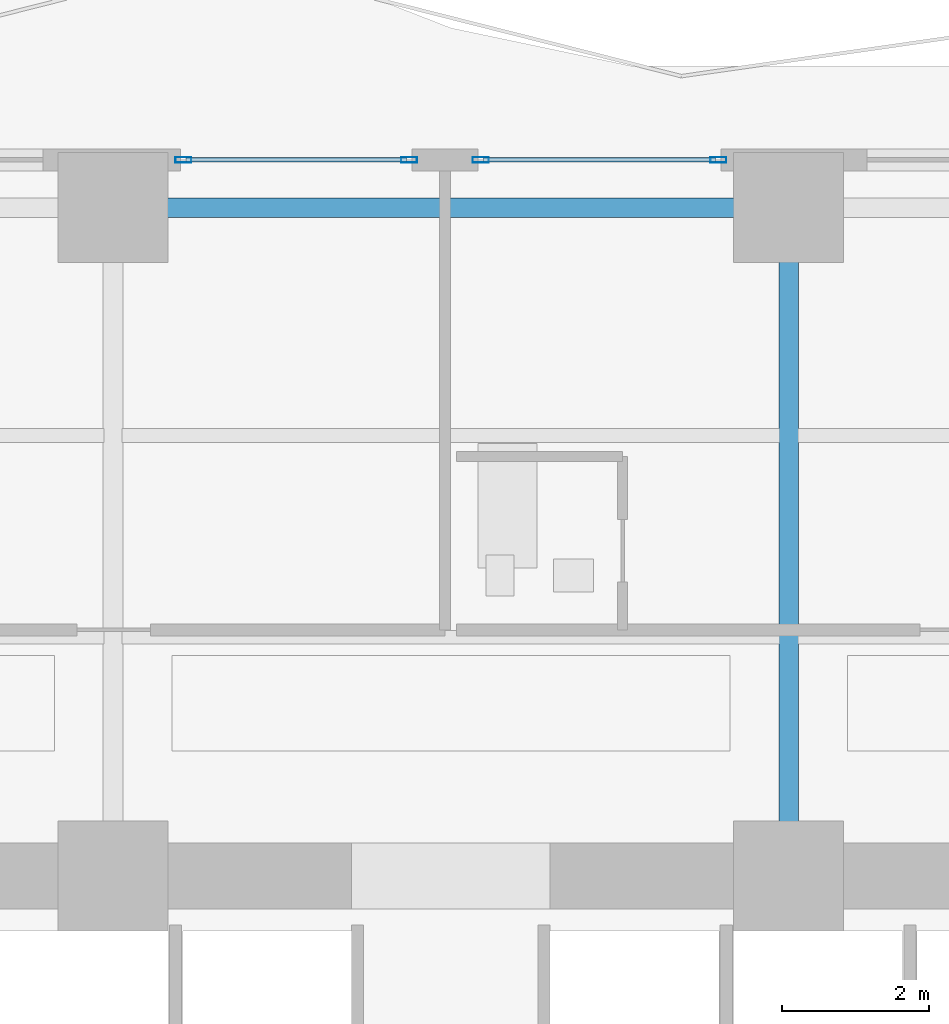
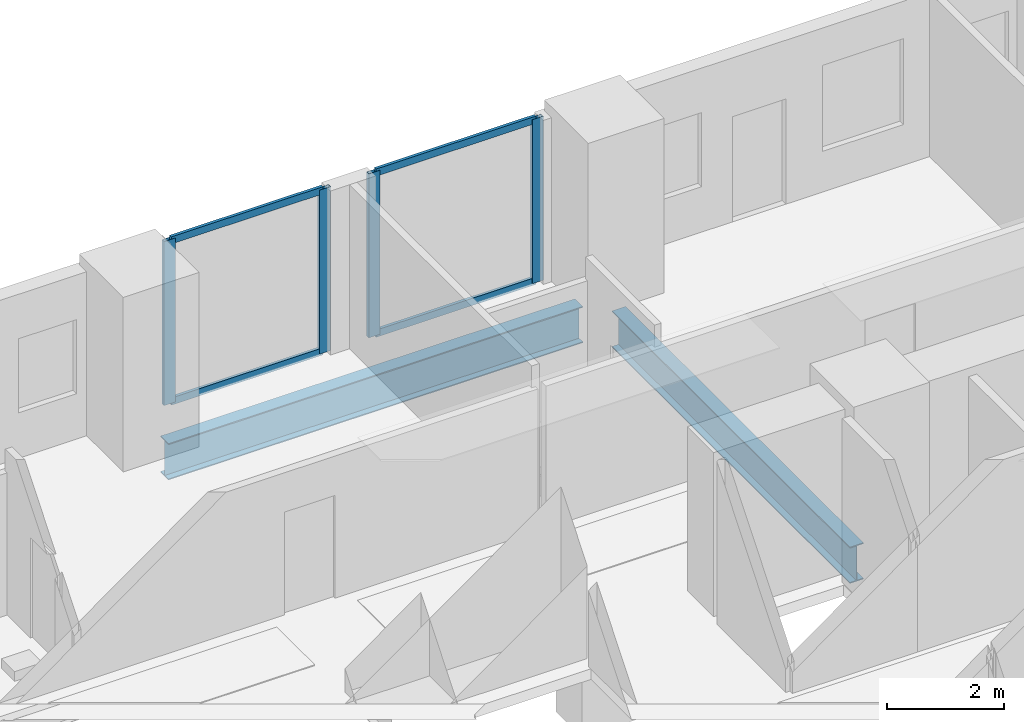
# One storey, part 15 of 28: 8 members, 2 beams, 2 elements without a shape of their own.
"""IFC4 building model written with IfcOpenShell, lengths in metres."""

import ifcopenshell
import ifcopenshell.guid

model = None  # the IFC model being written
_history = None  # IfcOwnerHistory: only IFC2X3 demands one
_inside = {}  # id of a spatial element -> (the spatial element, [elements in it])
_under = {}  # id of a project, library or spatial element -> (it, [spatial elements below it])
_declared = {}  # id of a project -> (the project, [libraries it declares])
_typed = {}  # id of a type object -> (the type object, [elements of that type])
_made_of = {}  # id of a material, layer set ... -> (it, [elements and type objects made of it])


def new_model(schema):
    """Start an empty IFC model of exactly this schema.

    Asked for "IFC4X3", IfcOpenShell would pick the latest addendum, in which some entities
    have other attributes; the version numbers below select the first issue.
    IFC2X3 requires an IfcOwnerHistory on every rooted entity: one is made here for all.
    """
    global model, _history
    if schema == "IFC4X3":
        model = ifcopenshell.file(schema_version=(4, 3, 0, 0))
    else:
        model = ifcopenshell.file(schema=schema)
    _inside.clear()
    _under.clear()
    _declared.clear()
    _typed.clear()
    _made_of.clear()
    _history = None
    if model.schema == "IFC2X3":
        org = make("IfcOrganization", Name="unknown")
        user = make(
            "IfcPersonAndOrganization",
            ThePerson=make("IfcPerson", FamilyName="unknown"),
            TheOrganization=org,
        )
        app = make(
            "IfcApplication",
            ApplicationDeveloper=org,
            Version="unknown",
            ApplicationFullName="unknown",
            ApplicationIdentifier="unknown",
        )
        _history = make(
            "IfcOwnerHistory",
            OwningUser=user,
            OwningApplication=app,
            ChangeAction="ADDED",
            CreationDate=0,
        )
    return model


def make(cls, **values):
    """One entity of the class cls with the attributes given. An attribute that is None is left unset."""
    return model.create_entity(
        cls, **{name: value for name, value in values.items() if value is not None}
    )


def rooted(cls, **values):
    """An entity with a GlobalId (a new one), such as an element, a storey or a relation."""
    return make(cls, GlobalId=ifcopenshell.guid.new(), OwnerHistory=_history, **values)


def si_unit(unit_type, name, prefix=None):
    """IfcSIUnit, for example si_unit("LENGTHUNIT", "METRE", prefix="MILLI")."""
    return make("IfcSIUnit", UnitType=unit_type, Prefix=prefix, Name=name)


def assignment(units):
    """IfcUnitAssignment: the units of a project."""
    return None if units is None else make("IfcUnitAssignment", Units=units)


def point(xyz):
    """IfcCartesianPoint."""
    return None if xyz is None else make("IfcCartesianPoint", Coordinates=xyz)


def direction(xyz):
    """IfcDirection."""
    return None if xyz is None else make("IfcDirection", DirectionRatios=xyz)


def frame(location, z_axis=None, x_axis=None):
    """IfcAxis2Placement3D, a coordinate frame: its origin and axes. An axis left out is left unset."""
    return make(
        "IfcAxis2Placement3D",
        Location=point(location),
        Axis=direction(z_axis),
        RefDirection=direction(x_axis),
    )


def frame_2d(location, x_axis=None):
    """IfcAxis2Placement2D, a coordinate frame in the plane: its origin and x axis."""
    return make(
        "IfcAxis2Placement2D", Location=point(location), RefDirection=direction(x_axis)
    )


def origin():
    """The frame at (0, 0, 0) with its axes left unset."""
    return frame((0.0, 0.0, 0.0))


def origin_2d():
    """The frame at (0, 0) in the plane with its x axis left unset."""
    return frame_2d((0.0, 0.0))


def place(relative_to, where):
    """IfcLocalPlacement: puts the frame where relative to a parent placement (None: the world)."""
    return make(
        "IfcLocalPlacement", PlacementRelTo=relative_to, RelativePlacement=where
    )


def context(
    kind, dimensions, precision=None, world=None, true_north=None, identifier=None
):
    """IfcGeometricRepresentationContext, for example the 3D "Model" context."""
    return make(
        "IfcGeometricRepresentationContext",
        ContextIdentifier=identifier,
        ContextType=kind,
        CoordinateSpaceDimension=dimensions,
        Precision=precision,
        WorldCoordinateSystem=world,
        TrueNorth=true_north,
    )


def subcontext(parent, identifier, kind, view, scale=None):
    """IfcGeometricRepresentationSubContext, for example "Body" below "Model"."""
    return make(
        "IfcGeometricRepresentationSubContext",
        ContextIdentifier=identifier,
        ContextType=kind,
        ParentContext=parent,
        TargetScale=scale,
        TargetView=view,
    )


def project(units=None, contexts=None):
    """IfcProject with its units and contexts."""
    return rooted(
        "IfcProject",
        Name="project",
        RepresentationContexts=contexts,
        UnitsInContext=assignment(units),
    )


def spatial(cls, under=None, at=None, **own):
    """A site, building, storey or space (cls), placed at a placement, below another one or the project."""
    s = rooted(cls, ObjectPlacement=at, **own)
    if under is not None:
        _under.setdefault(under.id(), (under, []))[1].append(s)
    return s


def profile(cls, at=None, kind="AREA", **sizes):
    """A parametric profile (cls). Its sizes go by their IFC names, for example OverallWidth=200.0."""
    return make(cls, ProfileType=kind, Position=at, **sizes)


def hollow_rectangle(**sizes):
    """IfcRectangleHollowProfileDef."""
    return profile("IfcRectangleHollowProfileDef", **sizes)


def i_section(**sizes):
    """IfcIShapeProfileDef."""
    return profile("IfcIShapeProfileDef", **sizes)


def extrude(swept, where, along, depth):
    """IfcExtrudedAreaSolid: the profile swept, set in the frame where, extruded along a direction by depth."""
    return make(
        "IfcExtrudedAreaSolid",
        SweptArea=swept,
        Position=where,
        ExtrudedDirection=direction(along),
        Depth=depth,
    )


def shape(context_of_items, identifier, shape_type, items):
    """IfcShapeRepresentation: the items that make up one representation, for example the "Body"."""
    return make(
        "IfcShapeRepresentation",
        ContextOfItems=context_of_items,
        RepresentationIdentifier=identifier,
        RepresentationType=shape_type,
        Items=items,
    )


def material(Name=None, Category=None):
    """IfcMaterial."""
    return make("IfcMaterial", Name=Name, Category=Category)


def layer(
    of_material, thickness, ventilated=None, Name=None, Category=None, Priority=None
):
    """IfcMaterialLayer: one layer of a wall or slab, of a material (None: an air gap)."""
    return make(
        "IfcMaterialLayer",
        Material=of_material,
        LayerThickness=thickness,
        IsVentilated=ventilated,
        Name=Name,
        Category=Category,
        Priority=Priority,
    )


def layer_set(layers, Name=None):
    """IfcMaterialLayerSet."""
    return make("IfcMaterialLayerSet", MaterialLayers=layers, LayerSetName=Name)


def material_profile(
    of_material, cross_section, Name=None, Category=None, Priority=None
):
    """IfcMaterialProfile: a cross section and its material."""
    return make(
        "IfcMaterialProfile",
        Name=Name,
        Material=of_material,
        Profile=cross_section,
        Priority=Priority,
        Category=Category,
    )


def profile_set(profiles, Name=None, composite=None):
    """IfcMaterialProfileSet."""
    return make(
        "IfcMaterialProfileSet",
        Name=Name,
        MaterialProfiles=profiles,
        CompositeProfile=composite,
    )


def made_of(thing, what):
    """Note that an element or type object is made of a material, layer set ...; save() writes the relation."""
    if what is not None:
        _made_of.setdefault(what.id(), (what, []))[1].append(thing)
    return thing


def type_object(cls, material=None, **own):
    """A type object (cls), such as IfcWallType, which elements share."""
    return made_of(rooted(cls, **own), material)


def element(
    cls,
    number,
    at=None,
    inside=None,
    cuts=None,
    type_object=None,
    material=None,
    context=None,
    identifier="Body",
    shape_type=None,
    held_by="IfcProductDefinitionShape",
    body=None,
    shapes=None,
    **own,
):
    """One element of the class cls, such as IfcWall. Its Tag is "e" and its number.

    at: its placement. inside: the storey or other place that contains it. cuts: it is an
    opening in that element (IfcRelVoidsElement). A single representation is given by context,
    identifier, shape_type and body (its items); several are given by shapes. held_by: the class
    of the entity that holds the representations. save() writes the other relations.
    """
    e = rooted(cls, Tag="e%d" % number, ObjectPlacement=at, **own)
    if body is not None:
        shapes = [shape(context, identifier, shape_type, body)]
    if shapes is not None:
        e.Representation = make(held_by, Representations=shapes)
    if inside is not None:
        _inside.setdefault(inside.id(), (inside, []))[1].append(e)
    if cuts is not None:
        rooted(
            "IfcRelVoidsElement", RelatingBuildingElement=cuts, RelatedOpeningElement=e
        )
    if type_object is not None:
        _typed.setdefault(type_object.id(), (type_object, []))[1].append(e)
    return made_of(e, material)


def aggregate(whole, parts):
    """IfcRelAggregates: a whole, such as a stair, and the parts it consists of."""
    return rooted("IfcRelAggregates", RelatingObject=whole, RelatedObjects=parts)


def save(model, path):
    """Write the relations noted so far, then the file.

    IfcRelAggregates (storeys below a building ...), IfcRelContainedInSpatialStructure (elements
    in a storey), IfcRelDefinesByType, IfcRelAssociatesMaterial and IfcRelDeclares: one each for
    every whole, place, type object, material and project.
    """
    for whole, parts in _under.values():
        aggregate(whole, parts)
    for where, things in _inside.values():
        rooted(
            "IfcRelContainedInSpatialStructure",
            RelatedElements=things,
            RelatingStructure=where,
        )
    for kind, things in _typed.values():
        rooted("IfcRelDefinesByType", RelatedObjects=things, RelatingType=kind)
    for what, things in _made_of.values():
        rooted("IfcRelAssociatesMaterial", RelatedObjects=things, RelatingMaterial=what)
    for by, libraries in _declared.values():
        rooted("IfcRelDeclares", RelatingContext=by, RelatedDefinitions=libraries)
    model.write(path)


model = new_model("IFC4")

# Units and contexts
model_context = context("Model", 3, precision=1e-05, world=origin(), true_north=direction((0.0, 1.0)))
body_context = subcontext(model_context, "Body", "Model", "MODEL_VIEW")
ifc_project = project(units=[si_unit("LENGTHUNIT", "METRE"), si_unit("AREAUNIT", "SQUARE_METRE"), si_unit("VOLUMEUNIT", "CUBIC_METRE"), si_unit("PLANEANGLEUNIT", "RADIAN"), si_unit("MASSUNIT", "GRAM", prefix="KILO")], contexts=[model_context])

# Site, building, storey
site_placement = place(None, origin())
site = spatial("IfcSite", under=ifc_project, at=site_placement, CompositionType="ELEMENT")
building_placement = place(site_placement, origin())
building = spatial("IfcBuilding", under=site, at=building_placement, Name="Zuhayl Quay Hotel", CompositionType="ELEMENT")
storey_placement = place(building_placement, frame((0.0, 0.0, 75.050048828125)))
storey = spatial("IfcBuildingStorey", under=building, at=storey_placement, Name="L18", CompositionType="ELEMENT", Elevation=75.050048828125)

# Beams
ifc_material_1 = material(Name="Steel ASTM A992 Grade 50", Category="steel")
ifc_material_profile_1 = material_profile(ifc_material_1, i_section(OverallWidth=0.26708984375, OverallDepth=0.761962890625, WebThickness=0.014404296875, FlangeThickness=0.021484375, at=origin_2d()), Name="W30X116")
ifc_profile_set_1 = profile_set([ifc_material_profile_1], Name="Steel ASTM A992 Grade 50")
beam_type = type_object("IfcBeamType", Name="BM_B1_W30X116", PredefinedType="BEAM", material=ifc_profile_set_1)
beam_1_placement = place(storey_placement, frame((4.10009765625, 22.449951171875, -0.60107421875), z_axis=(-1.0, 0.0, 0.0), x_axis=(0.0, -1.0, 0.0)))
element("IfcBeam", 1, at=beam_1_placement, inside=storey, type_object=beam_type, Name="L18 Floor Beam RG_L18_08", PredefinedType="BEAM", context=body_context, shape_type="SweptSolid", body=[
    extrude(i_section(OverallWidth=0.26708984375, OverallDepth=0.761962890625, WebThickness=0.014404296875, FlangeThickness=0.021484375, at=origin_2d()), origin(), (0.0, 0.0, 1.0), 8.2001953125),
])
beam_2_placement = place(storey_placement, frame((4.60009765625, 13.800048828125, -0.60107421875), z_axis=(0.0, 1.0, 0.0), x_axis=(-1.0, 0.0, 0.0)))
element("IfcBeam", 2, at=beam_2_placement, inside=storey, type_object=beam_type, Name="L18 Floor Beam FG_N_L18_3", PredefinedType="BEAM", context=body_context, shape_type="SweptSolid", body=[
    extrude(i_section(OverallWidth=0.26708984375, OverallDepth=0.761962890625, WebThickness=0.014404296875, FlangeThickness=0.021484375, at=origin_2d()), origin(), (0.0, 0.0, 1.0), 8.14990234375),
])

# Curtain wall, members
ifc_material_2 = material(Name="Anodised Aluminium 6063-T6", Category="aluminium")
ifc_layer = layer(ifc_material_2, 0.18994140625, Name="Anodised Aluminium 6063-T6", Category="aluminium")
ifc_layer_set = layer_set([ifc_layer], Name="Anodised Aluminium 6063-T6")
curtain_wall_type = type_object("IfcCurtainWallType", Name="CW_SYS_Z1", PredefinedType="USERDEFINED", material=ifc_layer_set)
curtain_wall_1_placement = place(storey_placement, origin())
curtain_wall_1 = element("IfcCurtainWall", 3, at=curtain_wall_1_placement, inside=storey, type_object=curtain_wall_type, Name="L18 Curtain Wall ENV_L18_N_CW2", ObjectType="UNITISED CURTAIN WALL", PredefinedType="USERDEFINED")
ifc_material_3 = material(Name="Black-anodised aluminium 6063-T6", Category="aluminium")
ifc_material_profile_2 = material_profile(ifc_material_3, hollow_rectangle(XDim=0.074951171875, YDim=0.219970703125, WallThickness=0.00390625, at=origin_2d()), Name="ALU220X75")
ifc_profile_set_2 = profile_set([ifc_material_profile_2], Name="Black-anodised aluminium 6063-T6")
member_type_1 = type_object("IfcMemberType", Name="MB_CW_MUL_220", PredefinedType="MULLION", material=ifc_profile_set_2)
member_1_placement = place(storey_placement, frame((-3.642578125, 23.10009765625, 0.0), z_axis=(0.0, 0.0, 1.0), x_axis=(0.0, 1.0, 0.0)))
member_1 = element("IfcMember", 4, at=member_1_placement, type_object=member_type_1, Name="CW-Z1 mullion 1", PredefinedType="MULLION", context=body_context, shape_type="SweptSolid", body=[
    extrude(hollow_rectangle(XDim=0.074951171875, YDim=0.219970703125, WallThickness=0.00390625, at=origin_2d()), origin(), (0.0, 0.0, 1.0), 3.429931640625),
])
member_2_placement = place(storey_placement, frame((-0.5673828125, 23.10009765625, 0.0), z_axis=(0.0, 0.0, 1.0), x_axis=(0.0, 1.0, 0.0)))
member_2 = element("IfcMember", 5, at=member_2_placement, type_object=member_type_1, Name="CW-Z1 mullion 2", PredefinedType="MULLION", context=body_context, shape_type="SweptSolid", body=[
    extrude(hollow_rectangle(XDim=0.074951171875, YDim=0.219970703125, WallThickness=0.00390625, at=origin_2d()), origin(), (0.0, 0.0, 1.0), 3.429931640625),
])

curtain_wall_2_placement = place(storey_placement, origin())
curtain_wall_2 = element("IfcCurtainWall", 6, at=curtain_wall_2_placement, inside=storey, type_object=curtain_wall_type, Name="L18 Curtain Wall ENV_L18_N_CW3", ObjectType="UNITISED CURTAIN WALL", PredefinedType="USERDEFINED")
member_3_placement = place(storey_placement, frame((0.407470703125, 23.10009765625, 0.0), z_axis=(0.0, 0.0, 1.0), x_axis=(0.0, 1.0, 0.0)))
member_3 = element("IfcMember", 7, at=member_3_placement, type_object=member_type_1, Name="CW-Z1 mullion 1", PredefinedType="MULLION", context=body_context, shape_type="SweptSolid", body=[
    extrude(hollow_rectangle(XDim=0.074951171875, YDim=0.219970703125, WallThickness=0.00390625, at=origin_2d()), origin(), (0.0, 0.0, 1.0), 3.429931640625),
])
member_4_placement = place(storey_placement, frame((3.642578125, 23.10009765625, 0.0), z_axis=(0.0, 0.0, 1.0), x_axis=(0.0, 1.0, 0.0)))
member_4 = element("IfcMember", 8, at=member_4_placement, type_object=member_type_1, Name="CW-Z1 mullion 2", PredefinedType="MULLION", context=body_context, shape_type="SweptSolid", body=[
    extrude(hollow_rectangle(XDim=0.074951171875, YDim=0.219970703125, WallThickness=0.00390625, at=origin_2d()), origin(), (0.0, 0.0, 1.0), 3.429931640625),
])

# Member
ifc_material_profile_3 = material_profile(ifc_material_3, hollow_rectangle(XDim=0.06005859375, YDim=0.14990234375, WallThickness=0.00341796875, at=origin_2d()), Name="ALU150X60")
ifc_profile_set_3 = profile_set([ifc_material_profile_3], Name="Black-anodised aluminium 6063-T6")
member_type_2 = type_object("IfcMemberType", Name="MB_CW_TRN_150", PredefinedType="USERDEFINED", material=ifc_profile_set_3)
member_5_placement = place(storey_placement, frame((-3.60498046875, 23.10009765625, 0.030029296875), z_axis=(1.0, 0.0, 0.0), x_axis=(0.0, 1.0, 0.0)))
member_5 = element("IfcMember", 9, at=member_5_placement, type_object=member_type_2, Name="CW-Z1 transom 1.1", ObjectType="TRANSOM", PredefinedType="USERDEFINED", context=body_context, shape_type="SweptSolid", body=[
    extrude(hollow_rectangle(XDim=0.06005859375, YDim=0.14990234375, WallThickness=0.00341796875, at=origin_2d()), origin(), (0.0, 0.0, 1.0), 3.0),
])

member_6_placement = place(storey_placement, frame((-3.60498046875, 23.10009765625, 3.39990234375), z_axis=(1.0, 0.0, 0.0), x_axis=(0.0, 1.0, 0.0)))
member_6 = element("IfcMember", 10, at=member_6_placement, type_object=member_type_2, Name="CW-Z1 transom 1.2", ObjectType="TRANSOM", PredefinedType="USERDEFINED", context=body_context, shape_type="SweptSolid", body=[
    extrude(hollow_rectangle(XDim=0.06005859375, YDim=0.14990234375, WallThickness=0.00341796875, at=origin_2d()), origin(), (0.0, 0.0, 1.0), 3.0),
])

aggregate(curtain_wall_1, [member_1, member_2, member_5, member_6])

member_7_placement = place(storey_placement, frame((0.445068359375, 23.10009765625, 0.030029296875), z_axis=(1.0, 0.0, 0.0), x_axis=(0.0, 1.0, 0.0)))
member_7 = element("IfcMember", 11, at=member_7_placement, type_object=member_type_2, Name="CW-Z1 transom 1.1", ObjectType="TRANSOM", PredefinedType="USERDEFINED", context=body_context, shape_type="SweptSolid", body=[
    extrude(hollow_rectangle(XDim=0.06005859375, YDim=0.14990234375, WallThickness=0.00341796875, at=origin_2d()), origin(), (0.0, 0.0, 1.0), 3.159912109375),
])

member_8_placement = place(storey_placement, frame((0.445068359375, 23.10009765625, 3.39990234375), z_axis=(1.0, 0.0, 0.0), x_axis=(0.0, 1.0, 0.0)))
member_8 = element("IfcMember", 12, at=member_8_placement, type_object=member_type_2, Name="CW-Z1 transom 1.2", ObjectType="TRANSOM", PredefinedType="USERDEFINED", context=body_context, shape_type="SweptSolid", body=[
    extrude(hollow_rectangle(XDim=0.06005859375, YDim=0.14990234375, WallThickness=0.00341796875, at=origin_2d()), origin(), (0.0, 0.0, 1.0), 3.159912109375),
])

aggregate(curtain_wall_2, [member_3, member_4, member_7, member_8])

save(model, "model.ifc")
